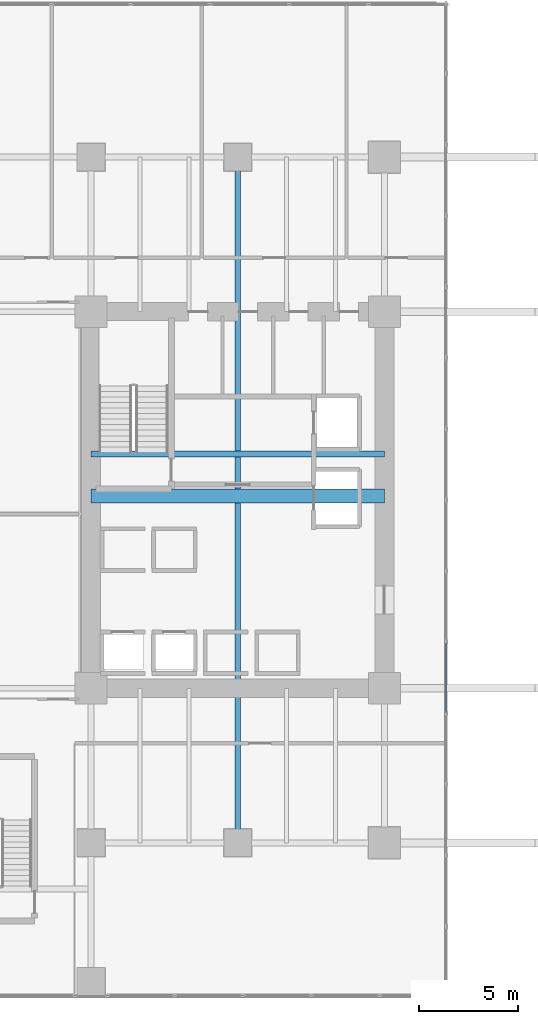
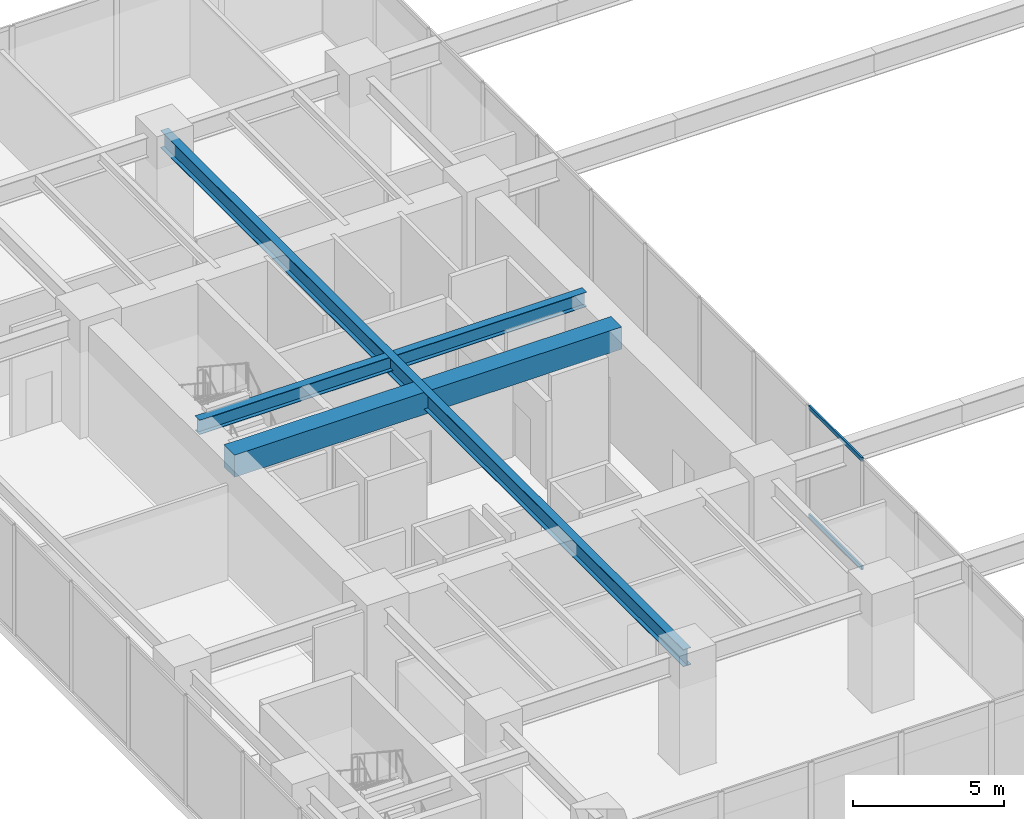
# One storey, part 7 of 39: 3 beams, 2 members, 1 element without a shape of its own.
"""IFC4 building model written with IfcOpenShell, lengths in metres."""

from ifc_helpers import new_model, si_unit, direction, frame, origin, origin_2d, place, context, subcontext, project, spatial, rectangle, hollow_rectangle, i_section, extrude, source, transform, mapped, material, layer, layer_set, material_profile, profile_set, type_object, type_shapes, element, aggregate, save


model = new_model("IFC4")

# Units and contexts
model_context = context("Model", 3, precision=1e-05, world=origin(), true_north=direction((0.0, 1.0)))
body_context = subcontext(model_context, "Body", "Model", "MODEL_VIEW")
ifc_project = project(units=[si_unit("LENGTHUNIT", "METRE"), si_unit("AREAUNIT", "SQUARE_METRE"), si_unit("VOLUMEUNIT", "CUBIC_METRE"), si_unit("PLANEANGLEUNIT", "RADIAN"), si_unit("MASSUNIT", "GRAM", prefix="KILO")], contexts=[model_context])

# Site, building, storey
site_placement = place(None, origin())
site = spatial("IfcSite", under=ifc_project, at=site_placement, CompositionType="ELEMENT")
building_placement = place(site_placement, origin())
building = spatial("IfcBuilding", under=site, at=building_placement, Name="Haelvirn Gate Laboratories", CompositionType="ELEMENT")
storey_placement = place(building_placement, frame((0.0, 0.0, 15.0)))
storey = spatial("IfcBuildingStorey", under=building, at=storey_placement, Name="L04", CompositionType="ELEMENT", Elevation=15.0)

# Beams
ifc_material_1 = material(Name="Concrete C60/75", Category="concrete")
ifc_material_profile_1 = material_profile(ifc_material_1, rectangle(XDim=0.699951171875, YDim=0.89990234375, at=origin_2d()), Name="RCB-700x900")
ifc_profile_set_1 = profile_set([ifc_material_profile_1], Name="Concrete C60/75")
beam_type_1 = type_object("IfcBeamType", Name="BM-RCB-900", PredefinedType="LINTEL", material=ifc_profile_set_1)
shared_shape_1 = source(origin(), body_context, "Body", "SweptSolid", [
    extrude(rectangle(XDim=0.699951171875, YDim=0.89990234375, at=origin_2d()), origin(), (0.0, 0.0, 1.0), 14.800048828125),
])
type_shapes(beam_type_1, [shared_shape_1])
beam_1_placement = place(storey_placement, frame((7.39990234375, 24.5, 4.0), z_axis=(1.0, 0.0, 0.0), x_axis=(0.0, 1.0, 0.0)))
element("IfcBeam", 1, at=beam_1_placement, inside=storey, type_object=beam_type_1, Name="L04 West Core Coupling Beam", PredefinedType="LINTEL", context=body_context, shape_type="MappedRepresentation", body=[
    mapped(shared_shape_1, transform((0.0, 0.0, 0.0), scale=1.0)),
])
ifc_material_2 = material(Name="Steel SM355", Category="steel")
ifc_material_profile_2 = material_profile(ifc_material_2, i_section(OverallWidth=0.300048828125, OverallDepth=0.587890625, WebThickness=0.011962890625, FlangeThickness=0.02001953125, at=origin_2d()), Name="H-588x300x12x20")
ifc_profile_set_2 = profile_set([ifc_material_profile_2], Name="Steel SM355")
beam_type_2 = type_object("IfcBeamType", Name="BM-G-588", PredefinedType="BEAM", material=ifc_profile_set_2)
shared_shape_2 = source(origin(), body_context, "Body", "SweptSolid", [
    extrude(i_section(OverallWidth=0.300048828125, OverallDepth=0.587890625, WebThickness=0.011962890625, FlangeThickness=0.02001953125, at=origin_2d()), origin(), (0.0, 0.0, 1.0), 14.800048828125),
])
type_shapes(beam_type_2, [shared_shape_2])
beam_2_placement = place(storey_placement, frame((7.39990234375, 26.6201171875, 4.156005859375), z_axis=(1.0, 0.0, 0.0), x_axis=(0.0, 1.0, 0.0)))
element("IfcBeam", 2, at=beam_2_placement, inside=storey, type_object=beam_type_2, Name="L04 Stair ST1 Landing Header", PredefinedType="BEAM", context=body_context, shape_type="MappedRepresentation", body=[
    mapped(shared_shape_2, transform((0.0, 0.0, 0.0), scale=1.0)),
])
ifc_material_profile_3 = material_profile(ifc_material_2, i_section(OverallWidth=0.300048828125, OverallDepth=0.699951171875, WebThickness=0.012939453125, FlangeThickness=0.02392578125, at=origin_2d()), Name="H-700x300x13x24")
ifc_profile_set_3 = profile_set([ifc_material_profile_3], Name="Steel SM355")
beam_type_3 = type_object("IfcBeamType", Name="BM-G-700", PredefinedType="BEAM", material=ifc_profile_set_3)
shared_shape_3 = source(origin(), body_context, "Body", "SweptSolid", [
    extrude(i_section(OverallWidth=0.300048828125, OverallDepth=0.699951171875, WebThickness=0.012939453125, FlangeThickness=0.02392578125, at=origin_2d()), origin(), (0.0, 0.0, 1.0), 34.60009765625),
])
type_shapes(beam_type_3, [shared_shape_3])
beam_3_placement = place(storey_placement, frame((14.800048828125, 7.0, 4.10009765625), z_axis=(0.0, 1.0, 0.0), x_axis=(-1.0, 0.0, 0.0)))
element("IfcBeam", 3, at=beam_3_placement, inside=storey, type_object=beam_type_3, Name="L04 Frame Girder X14.8 (7.0-41.6)", PredefinedType="BEAM", context=body_context, shape_type="MappedRepresentation", body=[
    mapped(shared_shape_3, transform((0.0, 0.0, 0.0), scale=1.0)),
])

# Curtain wall, members
ifc_material_3 = material(Name="Anodised bronze unitised aluminium & triple low-E glass", Category="aluminium")
ifc_layer = layer(ifc_material_3, 0.18798828125, Name="CW-SYS-1")
ifc_layer_set = layer_set([ifc_layer], Name="Anodised bronze unitised aluminium & triple low-E glass")
curtain_wall_type = type_object("IfcCurtainWallType", Name="CW-SYS-1", PredefinedType="NOTDEFINED", material=ifc_layer_set)
curtain_wall_placement = place(storey_placement, origin())
curtain_wall = element("IfcCurtainWall", 4, at=curtain_wall_placement, inside=storey, type_object=curtain_wall_type, Name="L04 Unitised Curtain Wall CW-L04-P0-E01", PredefinedType="NOTDEFINED")
ifc_material_4 = material(Name="Extruded aluminium 6063-T6 (anodised bronze)", Category="aluminium")
ifc_material_profile_4 = material_profile(ifc_material_4, hollow_rectangle(XDim=0.070068359375, YDim=0.159912109375, WallThickness=0.0048828125, at=origin_2d()), Name="CWT-160x70x5")
ifc_profile_set_4 = profile_set([ifc_material_profile_4], Name="Extruded aluminium 6063-T6 (anodised bronze)")
member_type = type_object("IfcMemberType", Name="CWT-T160", PredefinedType="USERDEFINED", material=ifc_profile_set_4)
shared_shape_4 = source(origin(), body_context, "Body", "SweptSolid", [
    extrude(hollow_rectangle(XDim=0.070068359375, YDim=0.159912109375, WallThickness=0.0048828125, at=origin_2d()), origin(), (0.0, 0.0, 1.0), 3.505859375),
])
type_shapes(member_type, [shared_shape_4])
member_1_placement = place(storey_placement, frame((25.300048828125, 13.582763671875, 0.034912109375), z_axis=(0.0, 1.0, 0.0), x_axis=(-1.0, 0.0, 0.0)))
member_1 = element("IfcMember", 5, at=member_1_placement, type_object=member_type, Name="CW1 transom 5.1", ObjectType="TRANSOM", PredefinedType="USERDEFINED", context=body_context, shape_type="MappedRepresentation", body=[
    mapped(shared_shape_4, transform((0.0, 0.0, 0.0), scale=1.0)),
])
member_2_placement = place(storey_placement, frame((25.300048828125, 13.582763671875, 4.4150390625), z_axis=(0.0, 1.0, 0.0), x_axis=(-1.0, 0.0, 0.0)))
member_2 = element("IfcMember", 6, at=member_2_placement, type_object=member_type, Name="CW1 transom 5.2", ObjectType="TRANSOM", PredefinedType="USERDEFINED", context=body_context, shape_type="MappedRepresentation", body=[
    mapped(shared_shape_4, transform((0.0, 0.0, 0.0), scale=1.0)),
])
aggregate(curtain_wall, [member_1, member_2])

save(model, "model.ifc")
